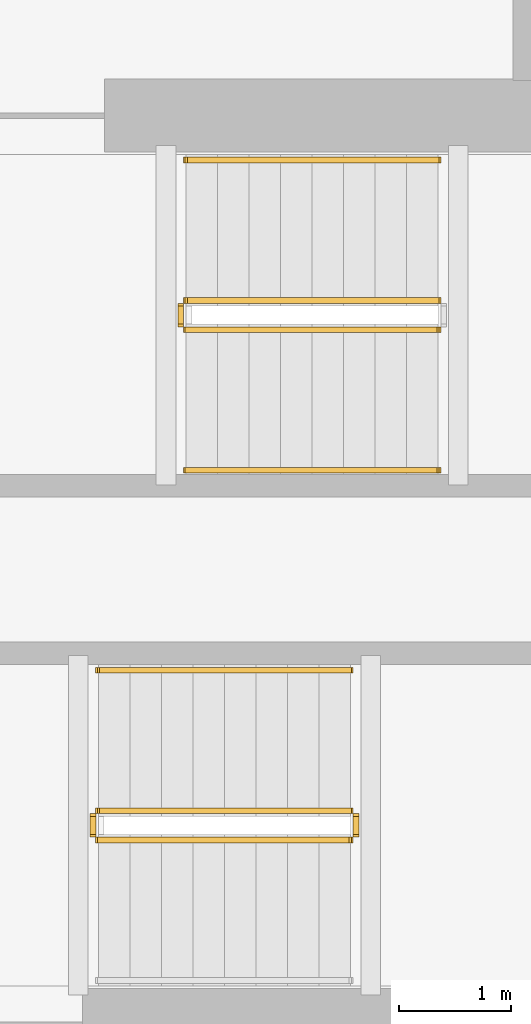
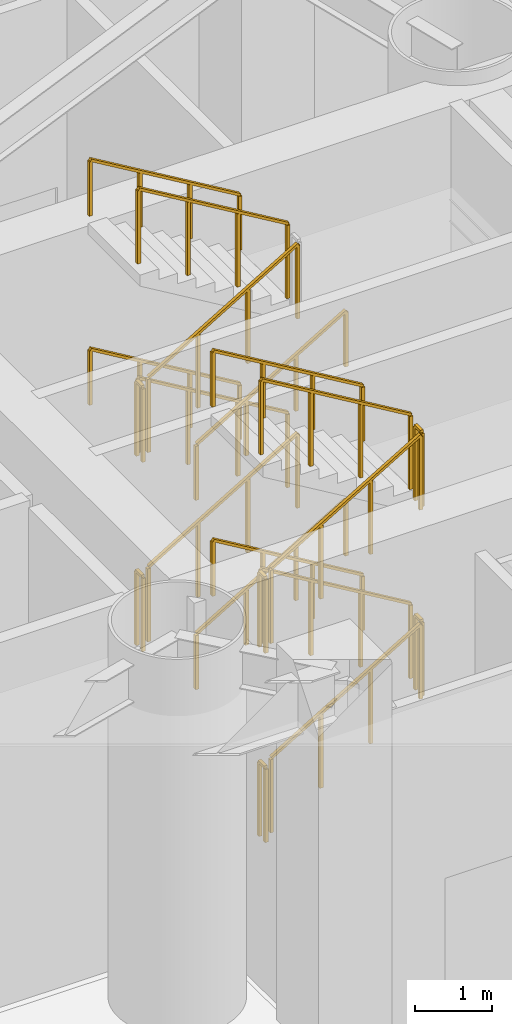
# One storey, part 34 of 40: 20 railings.
"""IFC4 building model written with IfcOpenShell, lengths in metres."""

from ifc_helpers import new_model, si_unit, direction, frame, origin, origin_2d, place, context, subcontext, project, spatial, rectangle, extrude, material, type_object, element, save


model = new_model("IFC4")

# Units and contexts
model_context = context("Model", 3, precision=1e-05, world=origin(), true_north=direction((0.0, 1.0)))
body_context = subcontext(model_context, "Body", "Model", "MODEL_VIEW")
ifc_project = project(units=[si_unit("LENGTHUNIT", "METRE"), si_unit("AREAUNIT", "SQUARE_METRE"), si_unit("VOLUMEUNIT", "CUBIC_METRE"), si_unit("PLANEANGLEUNIT", "RADIAN"), si_unit("MASSUNIT", "GRAM", prefix="KILO")], contexts=[model_context])

# Site, building, storey
site_placement = place(None, origin())
site = spatial("IfcSite", under=ifc_project, at=site_placement, CompositionType="ELEMENT")
building_placement = place(site_placement, origin())
building = spatial("IfcBuilding", under=site, at=building_placement, Name="Qianvela Tower", CompositionType="ELEMENT")
storey_placement = place(building_placement, origin())
storey = spatial("IfcBuildingStorey", under=building, at=storey_placement, Name="L00", CompositionType="ELEMENT", Elevation=0.0)

# Railings
ifc_material_1 = material(Name="Painted Tubular Steel Q355B", Category="steel")
railing_type_1 = type_object("IfcRailingType", Name="RL-STAIR-GUARD-1200", PredefinedType="GUARDRAIL", material=ifc_material_1)
railing_1_placement = place(storey_placement, frame((32.199951171875, 30.840087890625, 0.166748046875)))
element("IfcRailing", 1, at=railing_1_placement, inside=storey, type_object=railing_type_1, Name="L00 ST-1 stair guard 1", PredefinedType="GUARDRAIL", context=body_context, shape_type="SweptSolid", body=[
    extrude(rectangle(XDim=0.050048828125, YDim=0.0400390625, at=origin_2d()), frame((0.0, 0.0, 1.179931640625), z_axis=(0.859305625298, 0.0, 0.511462454469), x_axis=(0.0, 1.0, 0.0)), (0.0, 0.0, 1.0), 2.606689453125),
    extrude(rectangle(XDim=0.050048828125, YDim=0.050048828125, at=origin_2d()), origin(), (0.0, 0.0, 1.0), 1.159912109375),
    extrude(rectangle(XDim=0.050048828125, YDim=0.050048828125, at=origin_2d()), frame((0.74658203125, 0.0, 0.4443359375)), (0.0, 0.0, 1.0), 1.159912109375),
    extrude(rectangle(XDim=0.050048828125, YDim=0.050048828125, at=origin_2d()), frame((1.493408203125, 0.0, 0.888916015625)), (0.0, 0.0, 1.0), 1.159912109375),
    extrude(rectangle(XDim=0.050048828125, YDim=0.050048828125, at=origin_2d()), frame((2.239990234375, 0.0, 1.333251953125)), (0.0, 0.0, 1.0), 1.159912109375),
])
railing_2_placement = place(storey_placement, frame((34.43994140625, 31.10009765625, 1.666748046875)))
element("IfcRailing", 2, at=railing_2_placement, inside=storey, type_object=railing_type_1, Name="L00 ST-1 stair guard 3", PredefinedType="GUARDRAIL", context=body_context, shape_type="SweptSolid", body=[
    extrude(rectangle(XDim=0.050048828125, YDim=0.0400390625, at=origin_2d()), frame((0.0, 0.0, 1.179931640625), z_axis=(-0.859305625298, 0.0, 0.511462454469), x_axis=(0.0, -1.0, 0.0)), (0.0, 0.0, 1.0), 2.606689453125),
    extrude(rectangle(XDim=0.050048828125, YDim=0.050048828125, at=origin_2d()), origin(), (0.0, 0.0, 1.0), 1.159912109375),
    extrude(rectangle(XDim=0.050048828125, YDim=0.050048828125, at=origin_2d()), frame((-0.74658203125, 0.0, 0.4443359375)), (0.0, 0.0, 1.0), 1.159912109375),
    extrude(rectangle(XDim=0.050048828125, YDim=0.050048828125, at=origin_2d()), frame((-1.493408203125, 0.0, 0.888916015625)), (0.0, 0.0, 1.0), 1.159912109375),
    extrude(rectangle(XDim=0.050048828125, YDim=0.050048828125, at=origin_2d()), frame((-2.239990234375, 0.0, 1.333251953125)), (0.0, 0.0, 1.0), 1.159912109375),
])
railing_3_placement = place(storey_placement, frame((32.14990234375, 30.889892578125, 3.0)))
element("IfcRailing", 3, at=railing_3_placement, inside=storey, type_object=railing_type_1, Name="L00 ST-1 stair guard 4", PredefinedType="GUARDRAIL", context=body_context, shape_type="SweptSolid", body=[
    extrude(rectangle(XDim=0.050048828125, YDim=0.0400390625, at=origin_2d()), frame((0.0, 0.0, 1.179931640625), z_axis=(0.0, 1.0, 0.0), x_axis=(-1.0, 0.0, 0.0)), (0.0, 0.0, 1.0), 0.16015625),
    extrude(rectangle(XDim=0.050048828125, YDim=0.050048828125, at=origin_2d()), origin(), (0.0, 0.0, 1.0), 1.159912109375),
    extrude(rectangle(XDim=0.050048828125, YDim=0.050048828125, at=origin_2d()), frame((0.0, 0.16015625, 0.0)), (0.0, 0.0, 1.0), 1.159912109375),
])
railing_4_placement = place(storey_placement, frame((32.199951171875, 30.840087890625, 3.166748046875)))
element("IfcRailing", 4, at=railing_4_placement, inside=storey, type_object=railing_type_1, Name="L00 ST-1 stair guard 5", PredefinedType="GUARDRAIL", context=body_context, shape_type="SweptSolid", body=[
    extrude(rectangle(XDim=0.050048828125, YDim=0.0400390625, at=origin_2d()), frame((0.0, 0.0, 1.179931640625), z_axis=(0.859305625298, 0.0, 0.511462454469), x_axis=(0.0, 1.0, 0.0)), (0.0, 0.0, 1.0), 2.606689453125),
    extrude(rectangle(XDim=0.050048828125, YDim=0.050048828125, at=origin_2d()), origin(), (0.0, 0.0, 1.0), 1.159912109375),
    extrude(rectangle(XDim=0.050048828125, YDim=0.050048828125, at=origin_2d()), frame((0.74658203125, 0.0, 0.4443359375)), (0.0, 0.0, 1.0), 1.159912109375),
    extrude(rectangle(XDim=0.050048828125, YDim=0.050048828125, at=origin_2d()), frame((1.493408203125, 0.0, 0.888916015625)), (0.0, 0.0, 1.0), 1.159912109375),
    extrude(rectangle(XDim=0.050048828125, YDim=0.050048828125, at=origin_2d()), frame((2.239990234375, 0.0, 1.333251953125)), (0.0, 0.0, 1.0), 1.159912109375),
])
railing_5_placement = place(storey_placement, frame((34.43994140625, 31.10009765625, 4.666748046875)))
element("IfcRailing", 5, at=railing_5_placement, inside=storey, type_object=railing_type_1, Name="L00 ST-1 stair guard 7", PredefinedType="GUARDRAIL", context=body_context, shape_type="SweptSolid", body=[
    extrude(rectangle(XDim=0.050048828125, YDim=0.0400390625, at=origin_2d()), frame((0.0, 0.0, 1.179931640625), z_axis=(-0.859305625298, 0.0, 0.511462454469), x_axis=(0.0, -1.0, 0.0)), (0.0, 0.0, 1.0), 2.606689453125),
    extrude(rectangle(XDim=0.050048828125, YDim=0.050048828125, at=origin_2d()), origin(), (0.0, 0.0, 1.0), 1.159912109375),
    extrude(rectangle(XDim=0.050048828125, YDim=0.050048828125, at=origin_2d()), frame((-0.74658203125, 0.0, 0.4443359375)), (0.0, 0.0, 1.0), 1.159912109375),
    extrude(rectangle(XDim=0.050048828125, YDim=0.050048828125, at=origin_2d()), frame((-1.493408203125, 0.0, 0.888916015625)), (0.0, 0.0, 1.0), 1.159912109375),
    extrude(rectangle(XDim=0.050048828125, YDim=0.050048828125, at=origin_2d()), frame((-2.239990234375, 0.0, 1.333251953125)), (0.0, 0.0, 1.0), 1.159912109375),
])
railing_6_placement = place(storey_placement, frame((32.14990234375, 30.889892578125, 0.0)))
element("IfcRailing", 6, at=railing_6_placement, inside=storey, type_object=railing_type_1, Name="L00 ST-1 stair guard 8", PredefinedType="GUARDRAIL", context=body_context, shape_type="SweptSolid", body=[
    extrude(rectangle(XDim=0.050048828125, YDim=0.0400390625, at=origin_2d()), frame((0.0, 0.0, 1.179931640625), z_axis=(0.0, 1.0, 0.0), x_axis=(-1.0, 0.0, 0.0)), (0.0, 0.0, 1.0), 0.16015625),
    extrude(rectangle(XDim=0.050048828125, YDim=0.050048828125, at=origin_2d()), origin(), (0.0, 0.0, 1.0), 1.159912109375),
    extrude(rectangle(XDim=0.050048828125, YDim=0.050048828125, at=origin_2d()), frame((0.0, 0.16015625, 0.0)), (0.0, 0.0, 1.0), 1.159912109375),
])
railing_7_placement = place(storey_placement, frame((31.419921875, 26.300048828125, 0.166748046875)))
element("IfcRailing", 7, at=railing_7_placement, inside=storey, type_object=railing_type_1, Name="L00 ST-2 stair guard 1", PredefinedType="GUARDRAIL", context=body_context, shape_type="SweptSolid", body=[
    extrude(rectangle(XDim=0.050048828125, YDim=0.0400390625, at=origin_2d()), frame((0.0, 0.0, 1.179931640625), z_axis=(0.859305625298, 0.0, 0.511462454469), x_axis=(0.0, 1.0, 0.0)), (0.0, 0.0, 1.0), 2.606689453125),
    extrude(rectangle(XDim=0.050048828125, YDim=0.050048828125, at=origin_2d()), origin(), (0.0, 0.0, 1.0), 1.159912109375),
    extrude(rectangle(XDim=0.050048828125, YDim=0.050048828125, at=origin_2d()), frame((0.74658203125, 0.0, 0.4443359375)), (0.0, 0.0, 1.0), 1.159912109375),
    extrude(rectangle(XDim=0.050048828125, YDim=0.050048828125, at=origin_2d()), frame((1.493408203125, 0.0, 0.888916015625)), (0.0, 0.0, 1.0), 1.159912109375),
    extrude(rectangle(XDim=0.050048828125, YDim=0.050048828125, at=origin_2d()), frame((2.239990234375, 0.0, 1.333251953125)), (0.0, 0.0, 1.0), 1.159912109375),
])
railing_8_placement = place(storey_placement, frame((33.7099609375, 26.35009765625, 1.5)))
element("IfcRailing", 8, at=railing_8_placement, inside=storey, type_object=railing_type_1, Name="L00 ST-2 stair guard 2", PredefinedType="GUARDRAIL", context=body_context, shape_type="SweptSolid", body=[
    extrude(rectangle(XDim=0.050048828125, YDim=0.0400390625, at=origin_2d()), frame((0.0, 0.0, 1.179931640625), z_axis=(0.0, 1.0, 0.0), x_axis=(-1.0, 0.0, 0.0)), (0.0, 0.0, 1.0), 0.159912109375),
    extrude(rectangle(XDim=0.050048828125, YDim=0.050048828125, at=origin_2d()), origin(), (0.0, 0.0, 1.0), 1.159912109375),
    extrude(rectangle(XDim=0.050048828125, YDim=0.050048828125, at=origin_2d()), frame((0.0, 0.159912109375, 0.0)), (0.0, 0.0, 1.0), 1.159912109375),
])
railing_9_placement = place(storey_placement, frame((33.659912109375, 26.56005859375, 1.666748046875)))
element("IfcRailing", 9, at=railing_9_placement, inside=storey, type_object=railing_type_1, Name="L00 ST-2 stair guard 3", PredefinedType="GUARDRAIL", context=body_context, shape_type="SweptSolid", body=[
    extrude(rectangle(XDim=0.050048828125, YDim=0.0400390625, at=origin_2d()), frame((0.0, 0.0, 1.179931640625), z_axis=(-0.859305625298, 0.0, 0.511462454469), x_axis=(0.0, -1.0, 0.0)), (0.0, 0.0, 1.0), 2.606689453125),
    extrude(rectangle(XDim=0.050048828125, YDim=0.050048828125, at=origin_2d()), origin(), (0.0, 0.0, 1.0), 1.159912109375),
    extrude(rectangle(XDim=0.050048828125, YDim=0.050048828125, at=origin_2d()), frame((-0.74658203125, 0.0, 0.4443359375)), (0.0, 0.0, 1.0), 1.159912109375),
    extrude(rectangle(XDim=0.050048828125, YDim=0.050048828125, at=origin_2d()), frame((-1.493408203125, 0.0, 0.888916015625)), (0.0, 0.0, 1.0), 1.159912109375),
    extrude(rectangle(XDim=0.050048828125, YDim=0.050048828125, at=origin_2d()), frame((-2.239990234375, 0.0, 1.333251953125)), (0.0, 0.0, 1.0), 1.159912109375),
])
railing_10_placement = place(storey_placement, frame((31.3701171875, 26.35009765625, 3.0)))
element("IfcRailing", 10, at=railing_10_placement, inside=storey, type_object=railing_type_1, Name="L00 ST-2 stair guard 4", PredefinedType="GUARDRAIL", context=body_context, shape_type="SweptSolid", body=[
    extrude(rectangle(XDim=0.050048828125, YDim=0.0400390625, at=origin_2d()), frame((0.0, 0.0, 1.179931640625), z_axis=(0.0, 1.0, 0.0), x_axis=(-1.0, 0.0, 0.0)), (0.0, 0.0, 1.0), 0.159912109375),
    extrude(rectangle(XDim=0.050048828125, YDim=0.050048828125, at=origin_2d()), origin(), (0.0, 0.0, 1.0), 1.159912109375),
    extrude(rectangle(XDim=0.050048828125, YDim=0.050048828125, at=origin_2d()), frame((0.0, 0.159912109375, 0.0)), (0.0, 0.0, 1.0), 1.159912109375),
])
railing_11_placement = place(storey_placement, frame((31.419921875, 26.300048828125, 3.166748046875)))
element("IfcRailing", 11, at=railing_11_placement, inside=storey, type_object=railing_type_1, Name="L00 ST-2 stair guard 5", PredefinedType="GUARDRAIL", context=body_context, shape_type="SweptSolid", body=[
    extrude(rectangle(XDim=0.050048828125, YDim=0.0400390625, at=origin_2d()), frame((0.0, 0.0, 1.179931640625), z_axis=(0.859305625298, 0.0, 0.511462454469), x_axis=(0.0, 1.0, 0.0)), (0.0, 0.0, 1.0), 2.606689453125),
    extrude(rectangle(XDim=0.050048828125, YDim=0.050048828125, at=origin_2d()), origin(), (0.0, 0.0, 1.0), 1.159912109375),
    extrude(rectangle(XDim=0.050048828125, YDim=0.050048828125, at=origin_2d()), frame((0.74658203125, 0.0, 0.4443359375)), (0.0, 0.0, 1.0), 1.159912109375),
    extrude(rectangle(XDim=0.050048828125, YDim=0.050048828125, at=origin_2d()), frame((1.493408203125, 0.0, 0.888916015625)), (0.0, 0.0, 1.0), 1.159912109375),
    extrude(rectangle(XDim=0.050048828125, YDim=0.050048828125, at=origin_2d()), frame((2.239990234375, 0.0, 1.333251953125)), (0.0, 0.0, 1.0), 1.159912109375),
])
railing_12_placement = place(storey_placement, frame((33.7099609375, 26.35009765625, 4.5)))
element("IfcRailing", 12, at=railing_12_placement, inside=storey, type_object=railing_type_1, Name="L00 ST-2 stair guard 6", PredefinedType="GUARDRAIL", context=body_context, shape_type="SweptSolid", body=[
    extrude(rectangle(XDim=0.050048828125, YDim=0.0400390625, at=origin_2d()), frame((0.0, 0.0, 1.179931640625), z_axis=(0.0, 1.0, 0.0), x_axis=(-1.0, 0.0, 0.0)), (0.0, 0.0, 1.0), 0.159912109375),
    extrude(rectangle(XDim=0.050048828125, YDim=0.050048828125, at=origin_2d()), origin(), (0.0, 0.0, 1.0), 1.159912109375),
    extrude(rectangle(XDim=0.050048828125, YDim=0.050048828125, at=origin_2d()), frame((0.0, 0.159912109375, 0.0)), (0.0, 0.0, 1.0), 1.159912109375),
])
railing_13_placement = place(storey_placement, frame((33.659912109375, 26.56005859375, 4.666748046875)))
element("IfcRailing", 13, at=railing_13_placement, inside=storey, type_object=railing_type_1, Name="L00 ST-2 stair guard 7", PredefinedType="GUARDRAIL", context=body_context, shape_type="SweptSolid", body=[
    extrude(rectangle(XDim=0.050048828125, YDim=0.0400390625, at=origin_2d()), frame((0.0, 0.0, 1.179931640625), z_axis=(-0.859305625298, 0.0, 0.511462454469), x_axis=(0.0, -1.0, 0.0)), (0.0, 0.0, 1.0), 2.606689453125),
    extrude(rectangle(XDim=0.050048828125, YDim=0.050048828125, at=origin_2d()), origin(), (0.0, 0.0, 1.0), 1.159912109375),
    extrude(rectangle(XDim=0.050048828125, YDim=0.050048828125, at=origin_2d()), frame((-0.74658203125, 0.0, 0.4443359375)), (0.0, 0.0, 1.0), 1.159912109375),
    extrude(rectangle(XDim=0.050048828125, YDim=0.050048828125, at=origin_2d()), frame((-1.493408203125, 0.0, 0.888916015625)), (0.0, 0.0, 1.0), 1.159912109375),
    extrude(rectangle(XDim=0.050048828125, YDim=0.050048828125, at=origin_2d()), frame((-2.239990234375, 0.0, 1.333251953125)), (0.0, 0.0, 1.0), 1.159912109375),
])
railing_14_placement = place(storey_placement, frame((31.3701171875, 26.35009765625, 0.0)))
element("IfcRailing", 14, at=railing_14_placement, inside=storey, type_object=railing_type_1, Name="L00 ST-2 stair guard 8", PredefinedType="GUARDRAIL", context=body_context, shape_type="SweptSolid", body=[
    extrude(rectangle(XDim=0.050048828125, YDim=0.0400390625, at=origin_2d()), frame((0.0, 0.0, 1.179931640625), z_axis=(0.0, 1.0, 0.0), x_axis=(-1.0, 0.0, 0.0)), (0.0, 0.0, 1.0), 0.159912109375),
    extrude(rectangle(XDim=0.050048828125, YDim=0.050048828125, at=origin_2d()), origin(), (0.0, 0.0, 1.0), 1.159912109375),
    extrude(rectangle(XDim=0.050048828125, YDim=0.050048828125, at=origin_2d()), frame((0.0, 0.159912109375, 0.0)), (0.0, 0.0, 1.0), 1.159912109375),
])
ifc_material_2 = material(Name="Brushed Stainless Steel 304", Category="steel")
railing_type_2 = type_object("IfcRailingType", Name="RL-STAIR-HANDRAIL-900", PredefinedType="HANDRAIL", material=ifc_material_2)
railing_15_placement = place(storey_placement, frame((32.199951171875, 29.590087890625, 0.166748046875)))
element("IfcRailing", 15, at=railing_15_placement, inside=storey, type_object=railing_type_2, Name="L00 ST-1 stair handrail 1", PredefinedType="HANDRAIL", context=body_context, shape_type="SweptSolid", body=[
    extrude(rectangle(XDim=0.050048828125, YDim=0.0400390625, at=origin_2d()), frame((0.0, 0.0, 0.8798828125), z_axis=(0.859305625298, 0.0, 0.511462454469), x_axis=(0.0, 1.0, 0.0)), (0.0, 0.0, 1.0), 2.606689453125),
    extrude(rectangle(XDim=0.050048828125, YDim=0.050048828125, at=origin_2d()), origin(), (0.0, 0.0, 1.0), 0.85986328125),
    extrude(rectangle(XDim=0.050048828125, YDim=0.050048828125, at=origin_2d()), frame((0.74658203125, 0.0, 0.4443359375)), (0.0, 0.0, 1.0), 0.85986328125),
    extrude(rectangle(XDim=0.050048828125, YDim=0.050048828125, at=origin_2d()), frame((1.493408203125, 0.0, 0.888916015625)), (0.0, 0.0, 1.0), 0.85986328125),
    extrude(rectangle(XDim=0.050048828125, YDim=0.050048828125, at=origin_2d()), frame((2.239990234375, 0.0, 1.333251953125)), (0.0, 0.0, 1.0), 0.85986328125),
])
railing_16_placement = place(storey_placement, frame((34.43994140625, 32.35009765625, 1.666748046875)))
element("IfcRailing", 16, at=railing_16_placement, inside=storey, type_object=railing_type_2, Name="L00 ST-1 stair handrail 2", PredefinedType="HANDRAIL", context=body_context, shape_type="SweptSolid", body=[
    extrude(rectangle(XDim=0.050048828125, YDim=0.0400390625, at=origin_2d()), frame((0.0, 0.0, 0.8798828125), z_axis=(-0.859305625298, 0.0, 0.511462454469), x_axis=(0.0, -1.0, 0.0)), (0.0, 0.0, 1.0), 2.606689453125),
    extrude(rectangle(XDim=0.050048828125, YDim=0.050048828125, at=origin_2d()), origin(), (0.0, 0.0, 1.0), 0.85986328125),
    extrude(rectangle(XDim=0.050048828125, YDim=0.050048828125, at=origin_2d()), frame((-0.74658203125, 0.0, 0.4443359375)), (0.0, 0.0, 1.0), 0.85986328125),
    extrude(rectangle(XDim=0.050048828125, YDim=0.050048828125, at=origin_2d()), frame((-1.493408203125, 0.0, 0.888916015625)), (0.0, 0.0, 1.0), 0.85986328125),
    extrude(rectangle(XDim=0.050048828125, YDim=0.050048828125, at=origin_2d()), frame((-2.239990234375, 0.0, 1.333251953125)), (0.0, 0.0, 1.0), 0.85986328125),
])
railing_17_placement = place(storey_placement, frame((32.199951171875, 29.590087890625, 3.166748046875)))
element("IfcRailing", 17, at=railing_17_placement, inside=storey, type_object=railing_type_2, Name="L00 ST-1 stair handrail 3", PredefinedType="HANDRAIL", context=body_context, shape_type="SweptSolid", body=[
    extrude(rectangle(XDim=0.050048828125, YDim=0.0400390625, at=origin_2d()), frame((0.0, 0.0, 0.8798828125), z_axis=(0.859305625298, 0.0, 0.511462454469), x_axis=(0.0, 1.0, 0.0)), (0.0, 0.0, 1.0), 2.606689453125),
    extrude(rectangle(XDim=0.050048828125, YDim=0.050048828125, at=origin_2d()), origin(), (0.0, 0.0, 1.0), 0.85986328125),
    extrude(rectangle(XDim=0.050048828125, YDim=0.050048828125, at=origin_2d()), frame((0.74658203125, 0.0, 0.4443359375)), (0.0, 0.0, 1.0), 0.85986328125),
    extrude(rectangle(XDim=0.050048828125, YDim=0.050048828125, at=origin_2d()), frame((1.493408203125, 0.0, 0.888916015625)), (0.0, 0.0, 1.0), 0.85986328125),
    extrude(rectangle(XDim=0.050048828125, YDim=0.050048828125, at=origin_2d()), frame((2.239990234375, 0.0, 1.333251953125)), (0.0, 0.0, 1.0), 0.85986328125),
])
for number, where, name in (
    (18, (34.43994140625, 32.35009765625, 4.666748046875), "L00 ST-1 stair handrail 4"),
    (19, (33.659912109375, 27.81005859375, 1.666748046875), "L00 ST-2 stair handrail 2"),
    (20, (33.659912109375, 27.81005859375, 4.666748046875), "L00 ST-2 stair handrail 4"),
):
    element("IfcRailing", number, at=place(storey_placement, frame(where)), inside=storey, type_object=railing_type_2, Name=name, PredefinedType="HANDRAIL", context=body_context, shape_type="SweptSolid", body=[
        extrude(rectangle(XDim=0.050048828125, YDim=0.0400390625, at=origin_2d()), frame((0.0, 0.0, 0.8798828125), z_axis=(-0.859305625298, 0.0, 0.511462454469), x_axis=(0.0, -1.0, 0.0)), (0.0, 0.0, 1.0), 2.606689453125),
        extrude(rectangle(XDim=0.050048828125, YDim=0.050048828125, at=origin_2d()), origin(), (0.0, 0.0, 1.0), 0.85986328125),
        extrude(rectangle(XDim=0.050048828125, YDim=0.050048828125, at=origin_2d()), frame((-0.74658203125, 0.0, 0.4443359375)), (0.0, 0.0, 1.0), 0.85986328125),
        extrude(rectangle(XDim=0.050048828125, YDim=0.050048828125, at=origin_2d()), frame((-1.493408203125, 0.0, 0.888916015625)), (0.0, 0.0, 1.0), 0.85986328125),
        extrude(rectangle(XDim=0.050048828125, YDim=0.050048828125, at=origin_2d()), frame((-2.239990234375, 0.0, 1.333251953125)), (0.0, 0.0, 1.0), 0.85986328125),
    ])

save(model, "model.ifc")
